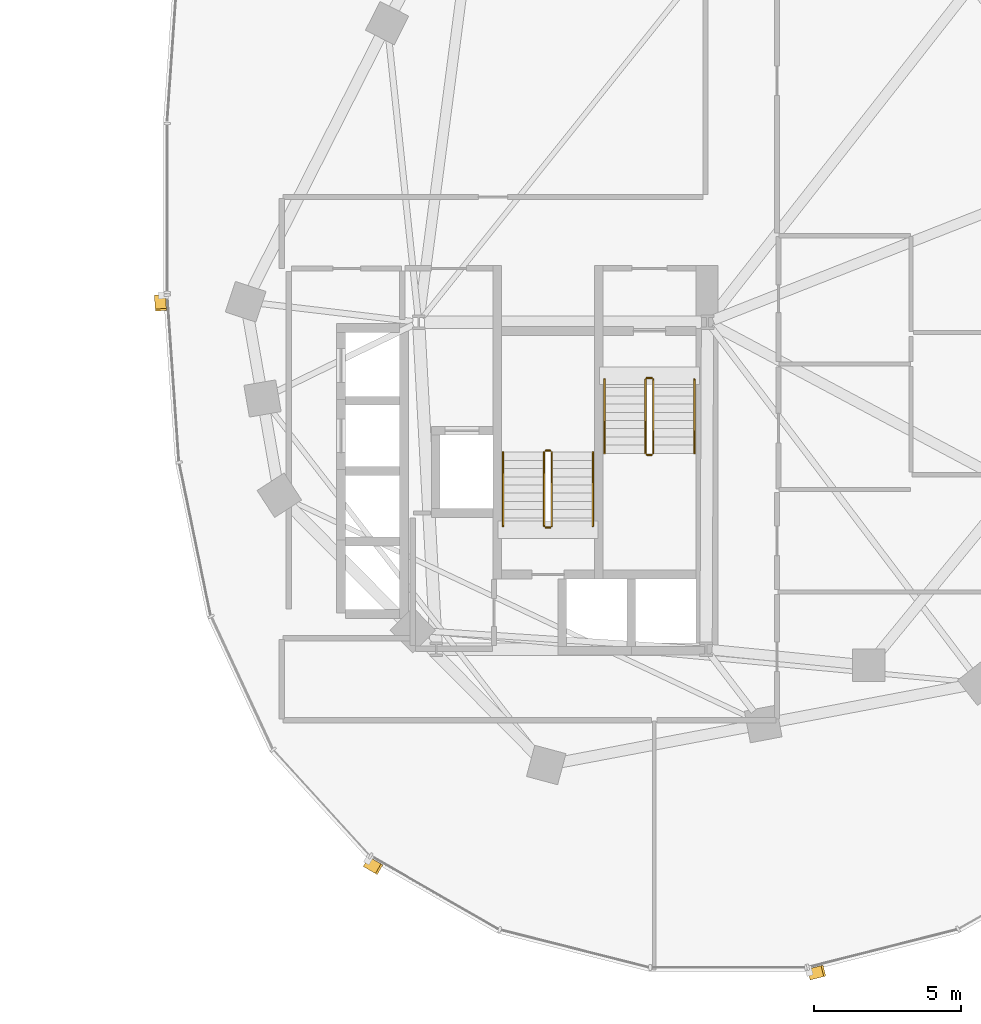
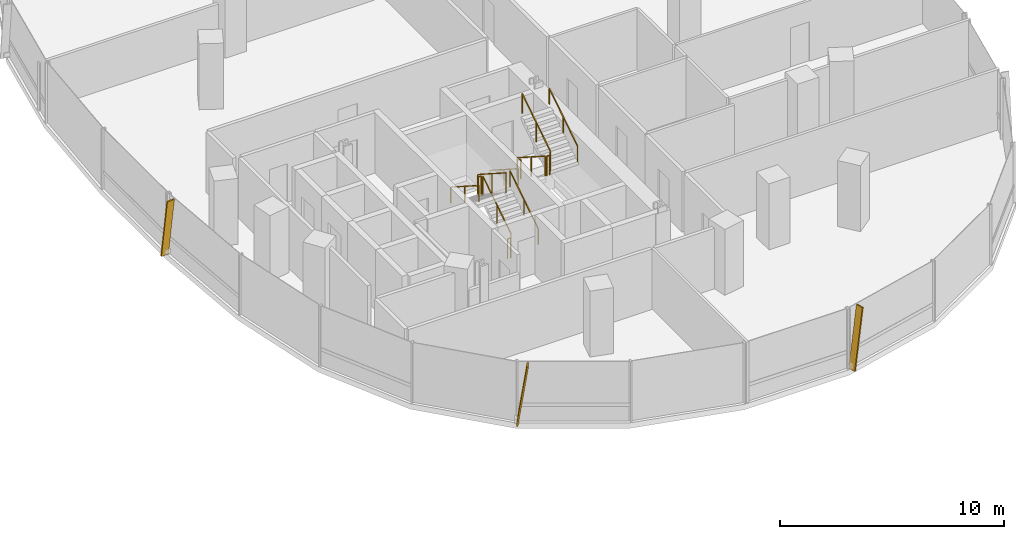
# One storey, part 20 of 21: 12 railings, 3 shading devices.
"""IFC4 building model written with IfcOpenShell, lengths in metres."""

from ifc_helpers import new_model, si_unit, direction, frame, origin, origin_2d, place, context, subcontext, project, spatial, rectangle, extrude, material, material_profile, profile_set, type_object, element, save


model = new_model("IFC4")

# Units and contexts
model_context = context("Model", 3, precision=1e-05, world=origin(), true_north=direction((0.0, 1.0)))
body_context = subcontext(model_context, "Body", "Model", "MODEL_VIEW")
ifc_project = project(units=[si_unit("LENGTHUNIT", "METRE"), si_unit("AREAUNIT", "SQUARE_METRE"), si_unit("VOLUMEUNIT", "CUBIC_METRE"), si_unit("PLANEANGLEUNIT", "RADIAN"), si_unit("MASSUNIT", "GRAM", prefix="KILO"), si_unit("THERMODYNAMICTEMPERATUREUNIT", "KELVIN"), si_unit("POWERUNIT", "WATT")], contexts=[model_context])

# Site, building, storey
site_placement = place(None, origin())
site = spatial("IfcSite", under=ifc_project, at=site_placement, CompositionType="ELEMENT")
building_placement = place(site_placement, origin())
building = spatial("IfcBuilding", under=site, at=building_placement, Name="Cundina Bronze Exchange", CompositionType="ELEMENT")
storey_placement = place(building_placement, frame((0.0, 0.0, 99.800048828125)))
storey = spatial("IfcBuildingStorey", under=building, at=storey_placement, Name="L25", CompositionType="ELEMENT", Elevation=99.800048828125)

# Railings
ifc_material_1 = material(Name="Steel ASTM A36 Painted", Category="steel")
railing_type_1 = type_object("IfcRailingType", Name="RLG-HND-900", PredefinedType="HANDRAIL", material=ifc_material_1)
railing_1_placement = place(storey_placement, frame((27.7900390625, -5.85009765625, 0.179931640625)))
element("IfcRailing", 1, at=railing_1_placement, inside=storey, type_object=railing_type_1, Name="L25 ST-E1 stair handrail 1", PredefinedType="HANDRAIL", context=body_context, shape_type="SweptSolid", body=[
    extrude(rectangle(XDim=0.048095703125, YDim=0.048095703125, at=origin_2d()), frame((0.0, 0.0, 0.8759765625), z_axis=(0.0, -0.841162588446, 0.540782303519), x_axis=(1.0, 0.0, 0.0)), (0.0, 0.0, 1.0), 2.995849609375),
    extrude(rectangle(XDim=0.0419921875, YDim=0.0419921875, at=origin_2d()), origin(), (0.0, 0.0, 1.0), 0.851806640625),
    extrude(rectangle(XDim=0.0419921875, YDim=0.0419921875, at=origin_2d()), frame((0.0, -1.260009765625, 0.81005859375)), (0.0, 0.0, 1.0), 0.851806640625),
    extrude(rectangle(XDim=0.0419921875, YDim=0.0419921875, at=origin_2d()), frame((0.0, -2.52001953125, 1.6201171875)), (0.0, 0.0, 1.0), 0.851806640625),
])
railing_2_placement = place(storey_placement, frame((30.85009765625, -8.3701171875, 1.97998046875)))
element("IfcRailing", 2, at=railing_2_placement, inside=storey, type_object=railing_type_1, Name="L25 ST-E1 stair handrail 2", PredefinedType="HANDRAIL", context=body_context, shape_type="SweptSolid", body=[
    extrude(rectangle(XDim=0.048095703125, YDim=0.048095703125, at=origin_2d()), frame((0.0, 0.0, 0.8759765625), z_axis=(0.0, 0.841199657755, 0.540724639528), x_axis=(-1.0, 0.0, 0.0)), (0.0, 0.0, 1.0), 2.995849609375),
    extrude(rectangle(XDim=0.0419921875, YDim=0.0419921875, at=origin_2d()), origin(), (0.0, 0.0, 1.0), 0.851806640625),
    extrude(rectangle(XDim=0.0419921875, YDim=0.0419921875, at=origin_2d()), frame((0.0, 1.260009765625, 0.81005859375)), (0.0, 0.0, 1.0), 0.851806640625),
    extrude(rectangle(XDim=0.0419921875, YDim=0.0419921875, at=origin_2d()), frame((0.0, 2.52001953125, 1.619873046875)), (0.0, 0.0, 1.0), 0.851806640625),
])
railing_3_placement = place(storey_placement, frame((27.389892578125, -10.85009765625, 0.179931640625)))
element("IfcRailing", 3, at=railing_3_placement, inside=storey, type_object=railing_type_1, Name="L25 ST-E2 stair handrail 1", PredefinedType="HANDRAIL", context=body_context, shape_type="SweptSolid", body=[
    extrude(rectangle(XDim=0.048095703125, YDim=0.048095703125, at=origin_2d()), frame((0.0, 0.0, 0.8759765625), z_axis=(0.0, 0.841162588446, 0.540782303519), x_axis=(-1.0, 0.0, 0.0)), (0.0, 0.0, 1.0), 2.995849609375),
    extrude(rectangle(XDim=0.0419921875, YDim=0.0419921875, at=origin_2d()), origin(), (0.0, 0.0, 1.0), 0.851806640625),
    extrude(rectangle(XDim=0.0419921875, YDim=0.0419921875, at=origin_2d()), frame((0.0, 1.260009765625, 0.81005859375)), (0.0, 0.0, 1.0), 0.851806640625),
    extrude(rectangle(XDim=0.0419921875, YDim=0.0419921875, at=origin_2d()), frame((0.0, 2.52001953125, 1.6201171875)), (0.0, 0.0, 1.0), 0.851806640625),
])
railing_4_placement = place(storey_placement, frame((24.330078125, -8.330078125, 1.97998046875)))
element("IfcRailing", 4, at=railing_4_placement, inside=storey, type_object=railing_type_1, Name="L25 ST-E2 stair handrail 2", PredefinedType="HANDRAIL", context=body_context, shape_type="SweptSolid", body=[
    extrude(rectangle(XDim=0.048095703125, YDim=0.048095703125, at=origin_2d()), frame((0.0, 0.0, 0.8759765625), z_axis=(0.0, -0.841199657755, 0.540724639528), x_axis=(1.0, 0.0, 0.0)), (0.0, 0.0, 1.0), 2.995849609375),
    extrude(rectangle(XDim=0.0419921875, YDim=0.0419921875, at=origin_2d()), origin(), (0.0, 0.0, 1.0), 0.851806640625),
    extrude(rectangle(XDim=0.0419921875, YDim=0.0419921875, at=origin_2d()), frame((0.0, -1.260009765625, 0.81005859375)), (0.0, 0.0, 1.0), 0.851806640625),
    extrude(rectangle(XDim=0.0419921875, YDim=0.0419921875, at=origin_2d()), frame((0.0, -2.52001953125, 1.619873046875)), (0.0, 0.0, 1.0), 0.851806640625),
])
railing_type_2 = type_object("IfcRailingType", Name="RLG-STG-1100", PredefinedType="GUARDRAIL", material=ifc_material_1)
railing_5_placement = place(storey_placement, frame((29.18994140625, -5.85009765625, 0.179931640625)))
element("IfcRailing", 5, at=railing_5_placement, inside=storey, type_object=railing_type_2, Name="L25 ST-E1 stair guard 1", PredefinedType="GUARDRAIL", context=body_context, shape_type="SweptSolid", body=[
    extrude(rectangle(XDim=0.048095703125, YDim=0.048095703125, at=origin_2d()), frame((0.0, 0.0, 1.076171875), z_axis=(0.0, -0.841162588446, 0.540782303519), x_axis=(1.0, 0.0, 0.0)), (0.0, 0.0, 1.0), 2.995849609375),
    extrude(rectangle(XDim=0.0419921875, YDim=0.0419921875, at=origin_2d()), origin(), (0.0, 0.0, 1.0), 1.052001953125),
    extrude(rectangle(XDim=0.0419921875, YDim=0.0419921875, at=origin_2d()), frame((0.0, -1.260009765625, 0.81005859375)), (0.0, 0.0, 1.0), 1.052001953125),
    extrude(rectangle(XDim=0.0419921875, YDim=0.0419921875, at=origin_2d()), frame((0.0, -2.52001953125, 1.6201171875)), (0.0, 0.0, 1.0), 1.052001953125),
])
railing_6_placement = place(storey_placement, frame((29.239990234375, -8.419921875, 1.800048828125)))
element("IfcRailing", 6, at=railing_6_placement, inside=storey, type_object=railing_type_2, Name="L25 ST-E1 stair guard 2", PredefinedType="GUARDRAIL", context=body_context, shape_type="SweptSolid", body=[
    extrude(rectangle(XDim=0.048095703125, YDim=0.048095703125, at=origin_2d()), frame((0.0, 0.0, 1.076171875), z_axis=(1.0, 0.0, 0.0), x_axis=(0.0, 1.0, 0.0)), (0.0, 0.0, 1.0), 0.159912109375),
    extrude(rectangle(XDim=0.0419921875, YDim=0.0419921875, at=origin_2d()), origin(), (0.0, 0.0, 1.0), 1.052001953125),
    extrude(rectangle(XDim=0.0419921875, YDim=0.0419921875, at=origin_2d()), frame((0.159912109375, 0.0, 0.0)), (0.0, 0.0, 1.0), 1.052001953125),
])
railing_7_placement = place(storey_placement, frame((29.449951171875, -8.3701171875, 1.97998046875)))
element("IfcRailing", 7, at=railing_7_placement, inside=storey, type_object=railing_type_2, Name="L25 ST-E1 stair guard 3", PredefinedType="GUARDRAIL", context=body_context, shape_type="SweptSolid", body=[
    extrude(rectangle(XDim=0.048095703125, YDim=0.048095703125, at=origin_2d()), frame((0.0, 0.0, 1.076171875), z_axis=(0.0, 0.841199657755, 0.540724639528), x_axis=(-1.0, 0.0, 0.0)), (0.0, 0.0, 1.0), 2.995849609375),
    extrude(rectangle(XDim=0.0419921875, YDim=0.0419921875, at=origin_2d()), origin(), (0.0, 0.0, 1.0), 1.052001953125),
    extrude(rectangle(XDim=0.0419921875, YDim=0.0419921875, at=origin_2d()), frame((0.0, 1.260009765625, 0.81005859375)), (0.0, 0.0, 1.0), 1.052001953125),
    extrude(rectangle(XDim=0.0419921875, YDim=0.0419921875, at=origin_2d()), frame((0.0, 2.52001953125, 1.619873046875)), (0.0, 0.0, 1.0), 1.052001953125),
])
railing_8_placement = place(storey_placement, frame((29.239990234375, -5.800048828125, 0.0)))
element("IfcRailing", 8, at=railing_8_placement, inside=storey, type_object=railing_type_2, Name="L25 ST-E1 stair guard 4", PredefinedType="GUARDRAIL", context=body_context, shape_type="SweptSolid", body=[
    extrude(rectangle(XDim=0.048095703125, YDim=0.048095703125, at=origin_2d()), frame((0.0, 0.0, 1.076171875), z_axis=(1.0, 0.0, 0.0), x_axis=(0.0, 1.0, 0.0)), (0.0, 0.0, 1.0), 0.159912109375),
    extrude(rectangle(XDim=0.0419921875, YDim=0.0419921875, at=origin_2d()), origin(), (0.0, 0.0, 1.0), 1.052001953125),
    extrude(rectangle(XDim=0.0419921875, YDim=0.0419921875, at=origin_2d()), frame((0.159912109375, 0.0, 0.0)), (0.0, 0.0, 1.0), 1.052001953125),
])
railing_9_placement = place(storey_placement, frame((25.989990234375, -10.85009765625, 0.179931640625)))
element("IfcRailing", 9, at=railing_9_placement, inside=storey, type_object=railing_type_2, Name="L25 ST-E2 stair guard 1", PredefinedType="GUARDRAIL", context=body_context, shape_type="SweptSolid", body=[
    extrude(rectangle(XDim=0.048095703125, YDim=0.048095703125, at=origin_2d()), frame((0.0, 0.0, 1.076171875), z_axis=(0.0, 0.841162588446, 0.540782303519), x_axis=(-1.0, 0.0, 0.0)), (0.0, 0.0, 1.0), 2.995849609375),
    extrude(rectangle(XDim=0.0419921875, YDim=0.0419921875, at=origin_2d()), origin(), (0.0, 0.0, 1.0), 1.052001953125),
    extrude(rectangle(XDim=0.0419921875, YDim=0.0419921875, at=origin_2d()), frame((0.0, 1.260009765625, 0.81005859375)), (0.0, 0.0, 1.0), 1.052001953125),
    extrude(rectangle(XDim=0.0419921875, YDim=0.0419921875, at=origin_2d()), frame((0.0, 2.52001953125, 1.6201171875)), (0.0, 0.0, 1.0), 1.052001953125),
])
railing_10_placement = place(storey_placement, frame((25.93994140625, -8.280029296875, 1.800048828125)))
element("IfcRailing", 10, at=railing_10_placement, inside=storey, type_object=railing_type_2, Name="L25 ST-E2 stair guard 2", PredefinedType="GUARDRAIL", context=body_context, shape_type="SweptSolid", body=[
    extrude(rectangle(XDim=0.048095703125, YDim=0.048095703125, at=origin_2d()), frame((0.0, 0.0, 1.076171875), z_axis=(-1.0, 0.0, 0.0), x_axis=(0.0, -1.0, 0.0)), (0.0, 0.0, 1.0), 0.159912109375),
    extrude(rectangle(XDim=0.0419921875, YDim=0.0419921875, at=origin_2d()), origin(), (0.0, 0.0, 1.0), 1.052001953125),
    extrude(rectangle(XDim=0.0419921875, YDim=0.0419921875, at=origin_2d()), frame((-0.159912109375, 0.0, 0.0)), (0.0, 0.0, 1.0), 1.052001953125),
])
railing_11_placement = place(storey_placement, frame((25.72998046875, -8.330078125, 1.97998046875)))
element("IfcRailing", 11, at=railing_11_placement, inside=storey, type_object=railing_type_2, Name="L25 ST-E2 stair guard 3", PredefinedType="GUARDRAIL", context=body_context, shape_type="SweptSolid", body=[
    extrude(rectangle(XDim=0.048095703125, YDim=0.048095703125, at=origin_2d()), frame((0.0, 0.0, 1.076171875), z_axis=(0.0, -0.841199657755, 0.540724639528), x_axis=(1.0, 0.0, 0.0)), (0.0, 0.0, 1.0), 2.995849609375),
    extrude(rectangle(XDim=0.0419921875, YDim=0.0419921875, at=origin_2d()), origin(), (0.0, 0.0, 1.0), 1.052001953125),
    extrude(rectangle(XDim=0.0419921875, YDim=0.0419921875, at=origin_2d()), frame((0.0, -1.260009765625, 0.81005859375)), (0.0, 0.0, 1.0), 1.052001953125),
    extrude(rectangle(XDim=0.0419921875, YDim=0.0419921875, at=origin_2d()), frame((0.0, -2.52001953125, 1.619873046875)), (0.0, 0.0, 1.0), 1.052001953125),
])
railing_12_placement = place(storey_placement, frame((25.93994140625, -10.89990234375, 0.0)))
element("IfcRailing", 12, at=railing_12_placement, inside=storey, type_object=railing_type_2, Name="L25 ST-E2 stair guard 4", PredefinedType="GUARDRAIL", context=body_context, shape_type="SweptSolid", body=[
    extrude(rectangle(XDim=0.048095703125, YDim=0.048095703125, at=origin_2d()), frame((0.0, 0.0, 1.076171875), z_axis=(-1.0, 0.0, 0.0), x_axis=(0.0, -1.0, 0.0)), (0.0, 0.0, 1.0), 0.159912109375),
    extrude(rectangle(XDim=0.0419921875, YDim=0.0419921875, at=origin_2d()), origin(), (0.0, 0.0, 1.0), 1.052001953125),
    extrude(rectangle(XDim=0.0419921875, YDim=0.0419921875, at=origin_2d()), frame((-0.159912109375, 0.0, 0.0)), (0.0, 0.0, 1.0), 1.052001953125),
])

# Shading devices
ifc_material_2 = material(Name="Anodised Bronze Aluminium 6063-T6", Category="aluminium")
ifc_material_profile = material_profile(ifc_material_2, rectangle(XDim=0.070068359375, YDim=0.3798828125, at=origin_2d()), Name="FIN70X380", Category="aluminium")
ifc_profile_set = profile_set([ifc_material_profile], Name="Anodised Bronze Aluminium 6063-T6")
shading_device_type = type_object("IfcShadingDeviceType", Name="SHD-FIN-BRZ380", PredefinedType="USERDEFINED", material=ifc_profile_set)
for number, where, z_axis, x_axis, name in (
    (13, (12.6259765625, -2.993896484375, 0.02001953125), (0.010224545828, -0.145292278041, 0.989335945271), (-0.069450050635, 0.986895284755, 0.145651595925), "L25 Diagonal Bronze Solar Fin 1"),
    (14, (19.685791015625, -22.314208984375, 0.02001953125), (0.126324692219, -0.072534823274, 0.989333498649), (-0.857958278167, 0.492634108109, 0.145668213594), "L25 Diagonal Bronze Solar Fin 5"),
    (15, (34.787353515625, -26.138427734375, 0.02001953125), (0.141217047268, 0.035711761166, 0.989334329575), (-0.95914051701, -0.242552848478, 0.145662570088), "L25 Diagonal Bronze Solar Fin 1"),
):
    element("IfcShadingDevice", number, at=place(storey_placement, frame(where, z_axis=z_axis, x_axis=x_axis)), inside=storey, type_object=shading_device_type, Name=name, ObjectType="FIN", PredefinedType="USERDEFINED", context=body_context, shape_type="SweptSolid", body=[
        extrude(rectangle(XDim=0.070068359375, YDim=0.3798828125, at=origin_2d()), origin(), (0.0, 0.0, 1.0), 3.295166015625),
    ])

save(model, "model.ifc")
